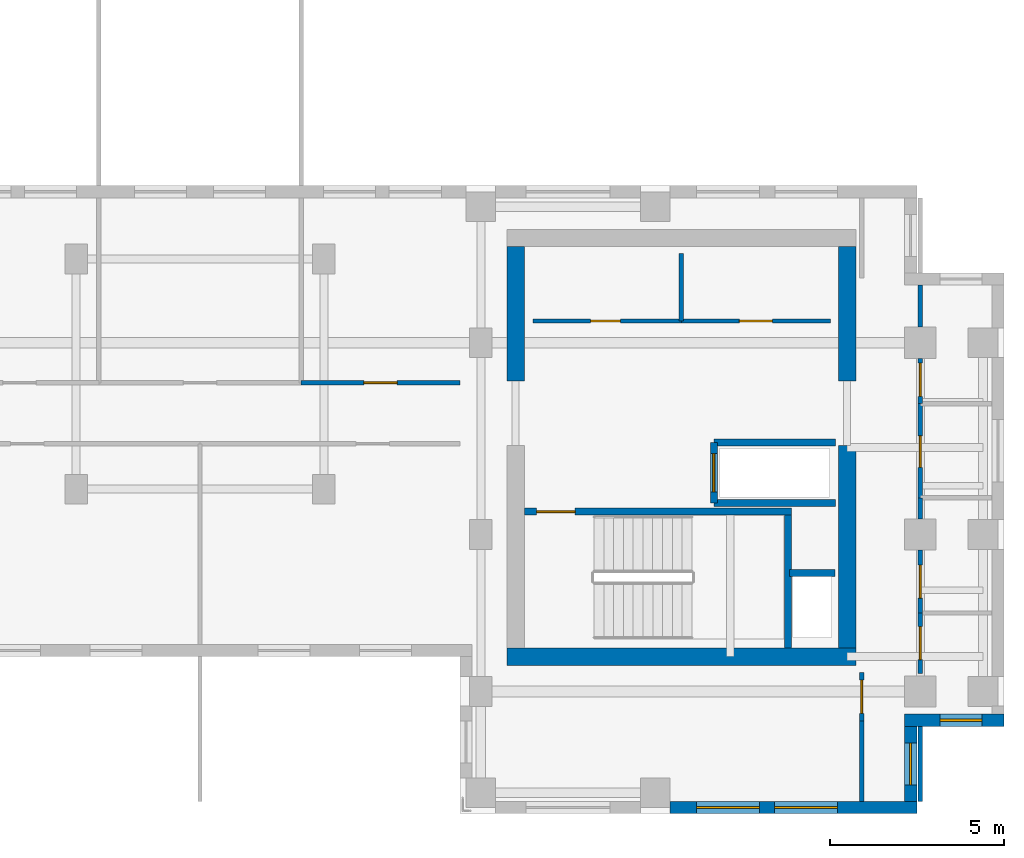
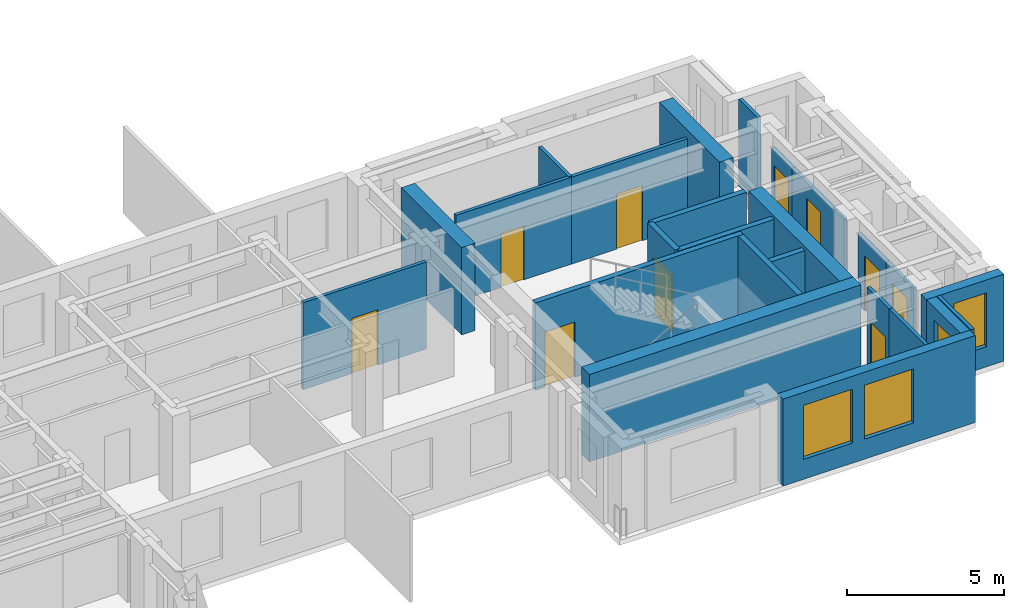
# One storey, part 6 of 10: 26 walls, 10 doors, 4 windows, 14 openings.
"""IFC4 building model written with IfcOpenShell, lengths in metres."""

from ifc_helpers import new_model, si_unit, direction, frame, frame_2d, origin, place, context, subcontext, project, spatial, rectangle, extrude, source, transform, mapped, material, layer, layer_set, type_object, element, fill, save


model = new_model("IFC4")

# Units and contexts
model_context = context("Model", 3, precision=1e-05, world=origin(), true_north=direction((0.0, 1.0)))
body_context = subcontext(model_context, "Body", "Model", "MODEL_VIEW")
ifc_project = project(units=[si_unit("LENGTHUNIT", "METRE"), si_unit("AREAUNIT", "SQUARE_METRE"), si_unit("VOLUMEUNIT", "CUBIC_METRE"), si_unit("PLANEANGLEUNIT", "RADIAN"), si_unit("MASSUNIT", "GRAM", prefix="KILO")], contexts=[model_context])

# Site, building, storey
site_placement = place(None, origin())
site = spatial("IfcSite", under=ifc_project, at=site_placement, CompositionType="ELEMENT")
building_placement = place(site_placement, origin())
building = spatial("IfcBuilding", under=site, at=building_placement, Name="Kharzan Plaza Tower", CompositionType="ELEMENT")
storey_placement = place(building_placement, frame((0.0, 0.0, 216.0)))
storey = spatial("IfcBuildingStorey", under=building, at=storey_placement, Name="L58", CompositionType="ELEMENT", Elevation=216.0)

# Wall, openings, windows
ifc_material_1 = material(Name="Concrete C40/50", Category="concrete")
ifc_layer_1 = layer(ifc_material_1, 0.35009765625)
ifc_layer_set_1 = layer_set([ifc_layer_1], Name="Concrete C40/50")
wall_type_1 = type_object("IfcWallType", Name="WL-EXT-MAS-Z4", PredefinedType="SOLIDWALL", material=ifc_layer_set_1)
wall_1_placement = place(storey_placement, frame((40.423095703125, 0.175048828125, 0.0), z_axis=(0.0, 0.0, 1.0), x_axis=(1.0, 0.0, 0.0)))
wall_1 = element("IfcWall", 1, at=wall_1_placement, inside=storey, type_object=wall_type_1, Name="L58 Masonry-Frame Exterior Wall 30", PredefinedType="SOLIDWALL", context=body_context, shape_type="SweptSolid", body=[
    extrude(rectangle(XDim=7.076904296875, YDim=0.35009765625, at=frame_2d((3.53857421875, 0.0))), origin(), (0.0, 0.0, 1.0), 3.385009765625),
])
opening_1_placement = place(wall_1_placement, frame((0.76220703125, 0.0, 0.780029296875)))
opening_1 = element("IfcOpeningElement", 2, at=opening_1_placement, cuts=wall_1, Name="Opening W1", PredefinedType="OPENING", context=body_context, shape_type="SweptSolid", body=[
    extrude(rectangle(XDim=1.800048828125, YDim=2.10009765625, at=frame_2d((0.89990234375, 1.050048828125))), frame((0.0, 0.18505859375, 0.0), z_axis=(0.0, -1.0, 0.0), x_axis=(1.0, 0.0, 0.0)), (0.0, 0.0, 1.0), 0.3701171875),
])
opening_2_placement = place(wall_1_placement, frame((3.004638671875, 0.0, 0.780029296875)))
opening_2 = element("IfcOpeningElement", 3, at=opening_2_placement, cuts=wall_1, Name="Opening W1", PredefinedType="OPENING", context=body_context, shape_type="SweptSolid", body=[
    extrude(rectangle(XDim=1.800048828125, YDim=2.10009765625, at=frame_2d((0.89990234375, 1.050048828125))), frame((0.0, 0.18505859375, 0.0), z_axis=(0.0, -1.0, 0.0), x_axis=(1.0, 0.0, 0.0)), (0.0, 0.0, 1.0), 0.3701171875),
])
ifc_material_2 = material(Name="Low-E Double Glazing", Category="glass")
window_type_1 = type_object("IfcWindowType", Name="WN-REC-1800x2100", PartitioningType="SINGLE_PANEL", PredefinedType="WINDOW", material=ifc_material_2)
shared_shape_1 = source(origin(), body_context, "Body", "SweptSolid", [
    extrude(rectangle(XDim=1.800048828125, YDim=2.10009765625, at=frame_2d((0.89990234375, 1.050048828125))), frame((0.0, 0.030029296875, 0.0), z_axis=(0.0, -1.0, 0.0), x_axis=(1.0, 0.0, 0.0)), (0.0, 0.0, 1.0), 0.06005859375),
])
window_1_placement = place(opening_1_placement, origin())
window_1 = element("IfcWindow", 4, at=window_1_placement, inside=storey, type_object=window_type_1, Name="L58 Recessed Solar-Control Window 30-1", OverallHeight=2.10009765625, OverallWidth=1.800048828125, PartitioningType="SINGLE_PANEL", PredefinedType="WINDOW", context=body_context, shape_type="MappedRepresentation", body=[
    mapped(shared_shape_1, transform((0.0, 0.0, 0.0), x_axis=(1.0, 0.0, 0.0), y_axis=(0.0, 1.0, 0.0), z_axis=(0.0, 0.0, 1.0))),
])
fill(opening_1, window_1)
window_2_placement = place(opening_2_placement, origin())
window_2 = element("IfcWindow", 5, at=window_2_placement, inside=storey, type_object=window_type_1, Name="L58 Recessed Solar-Control Window 30-2", OverallHeight=2.10009765625, OverallWidth=1.800048828125, PartitioningType="SINGLE_PANEL", PredefinedType="WINDOW", context=body_context, shape_type="MappedRepresentation", body=[
    mapped(shared_shape_1, transform((0.0, 0.0, 0.0), x_axis=(1.0, 0.0, 0.0), y_axis=(0.0, 1.0, 0.0), z_axis=(0.0, 0.0, 1.0))),
])
fill(opening_2, window_2)

# Wall, opening, window
wall_2_placement = place(storey_placement, frame((47.324951171875, 0.347900390625, 0.0), z_axis=(0.0, 0.0, 1.0), x_axis=(0.0, 1.0, 0.0)))
wall_2 = element("IfcWall", 6, at=wall_2_placement, inside=storey, type_object=wall_type_1, Name="L58 Masonry-Frame Exterior Wall 31", PredefinedType="SOLIDWALL", context=body_context, shape_type="SweptSolid", body=[
    extrude(rectangle(XDim=2.154052734375, YDim=0.35009765625, at=frame_2d((1.0771484375, 0.0))), origin(), (0.0, 0.0, 1.0), 3.385009765625),
])
opening_3_placement = place(wall_2_placement, frame((0.47705078125, 0.0, 0.780029296875)))
opening_3 = element("IfcOpeningElement", 7, at=opening_3_placement, cuts=wall_2, Name="Opening W3", PredefinedType="OPENING", context=body_context, shape_type="SweptSolid", body=[
    extrude(rectangle(XDim=1.199951171875, YDim=2.10009765625, at=frame_2d((0.60009765625, 1.050048828125))), frame((0.0, 0.18505859375, 0.0), z_axis=(0.0, -1.0, 0.0), x_axis=(1.0, 0.0, 0.0)), (0.0, 0.0, 1.0), 0.3701171875),
])
window_type_2 = type_object("IfcWindowType", Name="WN-REC-1200x2100", PartitioningType="SINGLE_PANEL", PredefinedType="WINDOW", material=ifc_material_2)
shared_shape_2 = source(origin(), body_context, "Body", "SweptSolid", [
    extrude(rectangle(XDim=1.199951171875, YDim=2.10009765625, at=frame_2d((0.60009765625, 1.050048828125))), frame((0.0, 0.030029296875, 0.0), z_axis=(0.0, -1.0, 0.0), x_axis=(1.0, 0.0, 0.0)), (0.0, 0.0, 1.0), 0.06005859375),
])
window_3_placement = place(opening_3_placement, origin())
window_3 = element("IfcWindow", 8, at=window_3_placement, inside=storey, type_object=window_type_2, Name="L58 Recessed Solar-Control Window 31-1", OverallHeight=2.10009765625, OverallWidth=1.199951171875, PartitioningType="SINGLE_PANEL", PredefinedType="WINDOW", context=body_context, shape_type="MappedRepresentation", body=[
    mapped(shared_shape_2, transform((0.0, 0.0, 0.0), x_axis=(1.0, 0.0, 0.0), y_axis=(0.0, 1.0, 0.0), z_axis=(0.0, 0.0, 1.0))),
])
fill(opening_3, window_3)

wall_3_placement = place(storey_placement, frame((47.14990234375, 2.675048828125, 0.0), z_axis=(0.0, 0.0, 1.0), x_axis=(1.0, 0.0, 0.0)))
wall_3 = element("IfcWall", 9, at=wall_3_placement, inside=storey, type_object=wall_type_1, Name="L58 Masonry-Frame Exterior Wall 32", PredefinedType="SOLIDWALL", context=body_context, shape_type="SweptSolid", body=[
    extrude(rectangle(XDim=2.85009765625, YDim=0.35009765625, at=frame_2d((1.425048828125, 0.0))), origin(), (0.0, 0.0, 1.0), 3.385009765625),
])
opening_4_placement = place(wall_3_placement, frame((1.014892578125, 0.0, 0.780029296875)))
opening_4 = element("IfcOpeningElement", 10, at=opening_4_placement, cuts=wall_3, Name="Opening W3", PredefinedType="OPENING", context=body_context, shape_type="SweptSolid", body=[
    extrude(rectangle(XDim=1.199951171875, YDim=2.10009765625, at=frame_2d((0.60009765625, 1.050048828125))), frame((0.0, 0.18505859375, 0.0), z_axis=(0.0, -1.0, 0.0), x_axis=(1.0, 0.0, 0.0)), (0.0, 0.0, 1.0), 0.3701171875),
])
window_4_placement = place(opening_4_placement, origin())
window_4 = element("IfcWindow", 11, at=window_4_placement, inside=storey, type_object=window_type_2, Name="L58 Recessed Solar-Control Window 32-1", OverallHeight=2.10009765625, OverallWidth=1.199951171875, PartitioningType="SINGLE_PANEL", PredefinedType="WINDOW", context=body_context, shape_type="MappedRepresentation", body=[
    mapped(shared_shape_2, transform((0.0, 0.0, 0.0), x_axis=(1.0, 0.0, 0.0), y_axis=(0.0, 1.0, 0.0), z_axis=(0.0, 0.0, 1.0))),
])
fill(opening_4, window_4)

# Wall, opening, door
ifc_material_3 = material(Name="Fire-Rated Gypsum Board Partition", Category="gypsum")
ifc_layer_2 = layer(ifc_material_3, 0.125)
ifc_layer_set_2 = layer_set([ifc_layer_2], Name="Fire-Rated Gypsum Board Partition")
wall_type_2 = type_object("IfcWallType", Name="WL-INT-PART-125", PredefinedType="PARTITIONING", material=ifc_layer_set_2)
wall_4_placement = place(storey_placement, frame((36.5, 14.1201171875, 0.0), z_axis=(0.0, 0.0, 1.0), x_axis=(1.0, 0.0, 0.0)))
wall_4 = element("IfcWall", 12, at=wall_4_placement, inside=storey, type_object=wall_type_2, Name="L58 Interior Partition CB-RBLS1", PredefinedType="PARTITIONING", context=body_context, shape_type="SweptSolid", body=[
    extrude(rectangle(XDim=4.25, YDim=0.125, at=frame_2d((2.125, 0.0))), origin(), (0.0, 0.0, 1.0), 3.385009765625),
])
opening_5_placement = place(wall_4_placement, frame((1.64990234375, 0.0, 0.0)))
opening_5 = element("IfcOpeningElement", 13, at=opening_5_placement, cuts=wall_4, Name="Opening RD1", PredefinedType="OPENING", context=body_context, shape_type="SweptSolid", body=[
    extrude(rectangle(XDim=0.85009765625, YDim=2.10009765625, at=frame_2d((0.425048828125, 1.050048828125))), frame((0.0, 0.072509765625, 0.0), z_axis=(0.0, -1.0, 0.0), x_axis=(1.0, 0.0, 0.0)), (0.0, 0.0, 1.0), 0.14501953125),
])
ifc_material_4 = material(Name="Powder-Coated Fire-Rated Steel", Category="steel")
door_type_1 = type_object("IfcDoorType", Name="DR-RISER-900", OperationType="NOTDEFINED", PredefinedType="DOOR", material=ifc_material_4)
shared_shape_3 = source(origin(), body_context, "Body", "SweptSolid", [
    extrude(rectangle(XDim=0.85009765625, YDim=2.10009765625, at=frame_2d((0.425048828125, 1.050048828125))), frame((0.0, 0.02490234375, 0.0), z_axis=(0.0, -1.0, 0.0), x_axis=(1.0, 0.0, 0.0)), (0.0, 0.0, 1.0), 0.050048828125),
])
door_1_placement = place(opening_5_placement, origin())
door_1 = element("IfcDoor", 14, at=door_1_placement, inside=storey, type_object=door_type_1, Name="L58 Archive Room Door", OperationType="SINGLE_SWING_RIGHT", OverallHeight=2.10009765625, OverallWidth=0.85009765625, PredefinedType="DOOR", context=body_context, shape_type="MappedRepresentation", body=[
    mapped(shared_shape_3, transform((0.0, 0.0, 0.0), x_axis=(1.0, 0.0, 0.0), y_axis=(0.0, 1.0, 0.0), z_axis=(0.0, 0.0, 1.0))),
])
fill(opening_5, door_1)

wall_5_placement = place(storey_placement, frame((40.75, 14.1201171875, 0.0), z_axis=(0.0, 0.0, 1.0), x_axis=(1.0, 0.0, 0.0)))
wall_5 = element("IfcWall", 15, at=wall_5_placement, inside=storey, type_object=wall_type_2, Name="L58 Interior Partition CB-RBLS2", PredefinedType="PARTITIONING", context=body_context, shape_type="SweptSolid", body=[
    extrude(rectangle(XDim=4.27001953125, YDim=0.125, at=frame_2d((2.135009765625, 0.0))), origin(), (0.0, 0.0, 1.0), 3.385009765625),
])
opening_6_placement = place(wall_5_placement, frame((1.659912109375, 0.0, 0.0)))
opening_6 = element("IfcOpeningElement", 16, at=opening_6_placement, cuts=wall_5, Name="Opening OD1", PredefinedType="OPENING", context=body_context, shape_type="SweptSolid", body=[
    extrude(rectangle(XDim=0.949951171875, YDim=2.14990234375, at=frame_2d((0.47509765625, 1.074951171875))), frame((0.0, 0.072509765625, 0.0), z_axis=(0.0, -1.0, 0.0), x_axis=(1.0, 0.0, 0.0)), (0.0, 0.0, 1.0), 0.14501953125),
])
ifc_material_5 = material(Name="Acoustic Solid-Core Stained Oak", Category="timber")
door_type_2 = type_object("IfcDoorType", Name="DR-OFF-SINGLE", OperationType="NOTDEFINED", PredefinedType="DOOR", material=ifc_material_5)
shared_shape_4 = source(origin(), body_context, "Body", "SweptSolid", [
    extrude(rectangle(XDim=0.949951171875, YDim=2.14990234375, at=frame_2d((0.47509765625, 1.074951171875))), frame((0.0, 0.02490234375, 0.0), z_axis=(0.0, -1.0, 0.0), x_axis=(1.0, 0.0, 0.0)), (0.0, 0.0, 1.0), 0.050048828125),
])
door_2_placement = place(opening_6_placement, origin())
door_2 = element("IfcDoor", 17, at=door_2_placement, inside=storey, type_object=door_type_2, Name="L58 Print Room Door", OperationType="SINGLE_SWING_LEFT", OverallHeight=2.14990234375, OverallWidth=0.949951171875, PredefinedType="DOOR", context=body_context, shape_type="MappedRepresentation", body=[
    mapped(shared_shape_4, transform((0.0, 0.0, 0.0), x_axis=(1.0, 0.0, 0.0), y_axis=(0.0, 1.0, 0.0), z_axis=(0.0, 0.0, 1.0))),
])
fill(opening_6, door_2)

wall_6_placement = place(storey_placement, frame((47.60009765625, 4.02001953125, 0.0), z_axis=(0.0, 0.0, 1.0), x_axis=(0.0, 1.0, 0.0)))
wall_6 = element("IfcWall", 18, at=wall_6_placement, inside=storey, type_object=wall_type_2, Name="L58 Interior Partition SH-B3W0", PredefinedType="PARTITIONING", context=body_context, shape_type="SweptSolid", body=[
    extrude(rectangle(XDim=1.72998046875, YDim=0.125, at=frame_2d((0.864990234375, 0.0))), origin(), (0.0, 0.0, 1.0), 2.77294921875),
])
opening_7_placement = place(wall_6_placement, frame((0.389892578125, 0.0, 0.0)))
opening_7 = element("IfcOpeningElement", 19, at=opening_7_placement, cuts=wall_6, Name="Opening OD1", PredefinedType="OPENING", context=body_context, shape_type="SweptSolid", body=[
    extrude(rectangle(XDim=0.949951171875, YDim=2.14990234375, at=frame_2d((0.47509765625, 1.074951171875))), frame((0.0, 0.072509765625, 0.0), z_axis=(0.0, -1.0, 0.0), x_axis=(1.0, 0.0, 0.0)), (0.0, 0.0, 1.0), 0.14501953125),
])
door_3_placement = place(opening_7_placement, origin())
door_3 = element("IfcDoor", 20, at=door_3_placement, inside=storey, type_object=door_type_2, Name="L58 Wing B Office 1 Door", OperationType="SINGLE_SWING_RIGHT", OverallHeight=2.14990234375, OverallWidth=0.949951171875, PredefinedType="DOOR", context=body_context, shape_type="MappedRepresentation", body=[
    mapped(shared_shape_4, transform((0.0, 0.0, 0.0), x_axis=(1.0, 0.0, 0.0), y_axis=(0.0, 1.0, 0.0), z_axis=(0.0, 0.0, 1.0))),
])
fill(opening_7, door_3)

wall_7_placement = place(storey_placement, frame((47.60009765625, 5.75, 0.0), z_axis=(0.0, 0.0, 1.0), x_axis=(0.0, 1.0, 0.0)))
wall_7 = element("IfcWall", 21, at=wall_7_placement, inside=storey, type_object=wall_type_2, Name="L58 Interior Partition SH-B3W1-S1", PredefinedType="PARTITIONING", context=body_context, shape_type="SweptSolid", body=[
    extrude(rectangle(XDim=1.800048828125, YDim=0.125, at=frame_2d((0.89990234375, 0.0))), origin(), (0.0, 0.0, 1.0), 2.77294921875),
])
opening_8_placement = place(wall_7_placement, frame((0.425048828125, 0.0, 0.0)))
opening_8 = element("IfcOpeningElement", 22, at=opening_8_placement, cuts=wall_7, Name="Opening OD1", PredefinedType="OPENING", context=body_context, shape_type="SweptSolid", body=[
    extrude(rectangle(XDim=0.949951171875, YDim=2.14990234375, at=frame_2d((0.47509765625, 1.074951171875))), frame((0.0, 0.072509765625, 0.0), z_axis=(0.0, -1.0, 0.0), x_axis=(1.0, 0.0, 0.0)), (0.0, 0.0, 1.0), 0.14501953125),
])
door_4_placement = place(opening_8_placement, origin())
door_4 = element("IfcDoor", 23, at=door_4_placement, inside=storey, type_object=door_type_2, Name="L58 Wing B Office 2 Door", OperationType="SINGLE_SWING_LEFT", OverallHeight=2.14990234375, OverallWidth=0.949951171875, PredefinedType="DOOR", context=body_context, shape_type="MappedRepresentation", body=[
    mapped(shared_shape_4, transform((0.0, 0.0, 0.0), x_axis=(1.0, 0.0, 0.0), y_axis=(0.0, 1.0, 0.0), z_axis=(0.0, 0.0, 1.0))),
])
fill(opening_8, door_4)

wall_8_placement = place(storey_placement, frame((47.60009765625, 11.75, 0.0), z_axis=(0.0, 0.0, 1.0), x_axis=(0.0, 1.0, 0.0)))
wall_8 = element("IfcWall", 24, at=wall_8_placement, inside=storey, type_object=wall_type_2, Name="L58 Interior Partition SH-B3W2-S1", PredefinedType="PARTITIONING", context=body_context, shape_type="SweptSolid", body=[
    extrude(rectangle(XDim=1.300048828125, YDim=0.125, at=frame_2d((0.64990234375, 0.0))), origin(), (0.0, 0.0, 1.0), 2.77294921875),
])
opening_9_placement = place(wall_8_placement, frame((0.2099609375, 0.0, 0.0)))
opening_9 = element("IfcOpeningElement", 25, at=opening_9_placement, cuts=wall_8, Name="Opening OD1", PredefinedType="OPENING", context=body_context, shape_type="SweptSolid", body=[
    extrude(rectangle(XDim=0.949951171875, YDim=2.14990234375, at=frame_2d((0.47509765625, 1.074951171875))), frame((0.0, 0.072509765625, 0.0), z_axis=(0.0, -1.0, 0.0), x_axis=(1.0, 0.0, 0.0)), (0.0, 0.0, 1.0), 0.14501953125),
])
door_5_placement = place(opening_9_placement, origin())
door_5 = element("IfcDoor", 26, at=door_5_placement, inside=storey, type_object=door_type_2, Name="L58 Wing B Office 3 Door", OperationType="SINGLE_SWING_LEFT", OverallHeight=2.14990234375, OverallWidth=0.949951171875, PredefinedType="DOOR", context=body_context, shape_type="MappedRepresentation", body=[
    mapped(shared_shape_4, transform((0.0, 0.0, 0.0), x_axis=(1.0, 0.0, 0.0), y_axis=(0.0, 1.0, 0.0), z_axis=(0.0, 0.0, 1.0))),
])
fill(opening_9, door_5)

wall_9_placement = place(storey_placement, frame((47.60009765625, 9.050048828125, 0.0), z_axis=(0.0, 0.0, 1.0), x_axis=(0.0, 1.0, 0.0)))
wall_9 = element("IfcWall", 27, at=wall_9_placement, inside=storey, type_object=wall_type_2, Name="L58 Interior Partition SH-B3WC", PredefinedType="PARTITIONING", context=body_context, shape_type="SweptSolid", body=[
    extrude(rectangle(XDim=2.699951171875, YDim=0.125, at=frame_2d((1.35009765625, 0.0))), origin(), (0.0, 0.0, 1.0), 2.77294921875),
])
opening_10_placement = place(wall_9_placement, frame((0.875, 0.0, 0.0)))
opening_10 = element("IfcOpeningElement", 28, at=opening_10_placement, cuts=wall_9, Name="Opening WD1", PredefinedType="OPENING", context=body_context, shape_type="SweptSolid", body=[
    extrude(rectangle(XDim=0.89990234375, YDim=2.14990234375, at=frame_2d((0.449951171875, 1.074951171875))), frame((0.0, 0.072509765625, 0.0), z_axis=(0.0, -1.0, 0.0), x_axis=(1.0, 0.0, 0.0)), (0.0, 0.0, 1.0), 0.14501953125),
])
ifc_material_6 = material(Name="Moisture-Resistant Fire-Rated Laminate", Category="timber")
door_type_3 = type_object("IfcDoorType", Name="DR-WC-900", OperationType="NOTDEFINED", PredefinedType="DOOR", material=ifc_material_6)
shared_shape_5 = source(origin(), body_context, "Body", "SweptSolid", [
    extrude(rectangle(XDim=0.89990234375, YDim=2.14990234375, at=frame_2d((0.449951171875, 1.074951171875))), frame((0.0, 0.02490234375, 0.0), z_axis=(0.0, -1.0, 0.0), x_axis=(1.0, 0.0, 0.0)), (0.0, 0.0, 1.0), 0.050048828125),
])
door_6_placement = place(opening_10_placement, origin())
door_6 = element("IfcDoor", 29, at=door_6_placement, inside=storey, type_object=door_type_3, Name="L58 Wing B Washroom Door", OperationType="SINGLE_SWING_LEFT", OverallHeight=2.14990234375, OverallWidth=0.89990234375, PredefinedType="DOOR", context=body_context, shape_type="MappedRepresentation", body=[
    mapped(shared_shape_5, transform((0.0, 0.0, 0.0), x_axis=(1.0, 0.0, 0.0), y_axis=(0.0, 1.0, 0.0), z_axis=(0.0, 0.0, 1.0))),
])
fill(opening_10, door_6)

wall_10_placement = place(storey_placement, frame((45.919921875, 2.64990234375, 0.0), z_axis=(0.0, 0.0, 1.0), x_axis=(0.0, 1.0, 0.0)))
wall_10 = element("IfcWall", 30, at=wall_10_placement, inside=storey, type_object=wall_type_2, Name="L58 Interior Partition SH-RBSE", PredefinedType="PARTITIONING", context=body_context, shape_type="SweptSolid", body=[
    extrude(rectangle(XDim=1.400146484375, YDim=0.125, at=frame_2d((0.7001953125, 0.0))), origin(), (0.0, 0.0, 1.0), 3.385009765625),
])
opening_11_placement = place(wall_10_placement, frame((0.22509765625, 0.0, 0.0)))
opening_11 = element("IfcOpeningElement", 31, at=opening_11_placement, cuts=wall_10, Name="Opening OD1", PredefinedType="OPENING", context=body_context, shape_type="SweptSolid", body=[
    extrude(rectangle(XDim=0.949951171875, YDim=2.14990234375, at=frame_2d((0.47509765625, 1.074951171875))), frame((0.0, 0.072509765625, 0.0), z_axis=(0.0, -1.0, 0.0), x_axis=(1.0, 0.0, 0.0)), (0.0, 0.0, 1.0), 0.14501953125),
])
door_7_placement = place(opening_11_placement, origin())
door_7 = element("IfcDoor", 32, at=door_7_placement, inside=storey, type_object=door_type_2, Name="L58 South-East Corner Office Door", OperationType="SINGLE_SWING_RIGHT", OverallHeight=2.14990234375, OverallWidth=0.949951171875, PredefinedType="DOOR", context=body_context, shape_type="MappedRepresentation", body=[
    mapped(shared_shape_4, transform((0.0, 0.0, 0.0), x_axis=(1.0, 0.0, 0.0), y_axis=(0.0, 1.0, 0.0), z_axis=(0.0, 0.0, 1.0))),
])
fill(opening_11, door_7)

wall_11_placement = place(storey_placement, frame((29.85009765625, 12.35009765625, 0.0), z_axis=(0.0, 0.0, 1.0), x_axis=(1.0, 0.0, 0.0)))
wall_11 = element("IfcWall", 33, at=wall_11_placement, inside=storey, type_object=wall_type_2, Name="L58 Interior Partition SH-SPNE1", PredefinedType="PARTITIONING", context=body_context, shape_type="SweptSolid", body=[
    extrude(rectangle(XDim=4.5498046875, YDim=0.125, at=frame_2d((2.27490234375, 0.0))), origin(), (0.0, 0.0, 1.0), 3.385009765625),
])
opening_12_placement = place(wall_11_placement, frame((1.800048828125, 0.0, 0.0)))
opening_12 = element("IfcOpeningElement", 34, at=opening_12_placement, cuts=wall_11, Name="Opening OD1", PredefinedType="OPENING", context=body_context, shape_type="SweptSolid", body=[
    extrude(rectangle(XDim=0.949951171875, YDim=2.14990234375, at=frame_2d((0.47509765625, 1.074951171875))), frame((0.0, 0.072509765625, 0.0), z_axis=(0.0, -1.0, 0.0), x_axis=(1.0, 0.0, 0.0)), (0.0, 0.0, 1.0), 0.14501953125),
])
door_8_placement = place(opening_12_placement, origin())
door_8 = element("IfcDoor", 35, at=door_8_placement, inside=storey, type_object=door_type_2, Name="L58 North-East Spine Door", OperationType="SINGLE_SWING_RIGHT", OverallHeight=2.14990234375, OverallWidth=0.949951171875, PredefinedType="DOOR", context=body_context, shape_type="MappedRepresentation", body=[
    mapped(shared_shape_4, transform((0.0, 0.0, 0.0), x_axis=(1.0, 0.0, 0.0), y_axis=(0.0, 1.0, 0.0), z_axis=(0.0, 0.0, 1.0))),
])
fill(opening_12, door_8)

ifc_layer_3 = layer(ifc_material_1, 0.199951171875)
ifc_layer_set_3 = layer_set([ifc_layer_3], Name="Concrete C40/50")
wall_type_3 = type_object("IfcWallType", Name="WL-INT-SHAFT-200", PredefinedType="PARTITIONING", material=ifc_layer_set_3)
wall_12_placement = place(storey_placement, frame((41.679931640625, 8.89990234375, 0.0), z_axis=(0.0, 0.0, 1.0), x_axis=(0.0, 1.0, 0.0)))
wall_12 = element("IfcWall", 36, at=wall_12_placement, inside=storey, type_object=wall_type_3, Name="L58 Interior Partition SHF-SVL-2-W", PredefinedType="PARTITIONING", context=body_context, shape_type="SweptSolid", body=[
    extrude(rectangle(XDim=1.739990234375, YDim=0.199951171875, at=frame_2d((0.8701171875, 0.0))), origin(), (0.0, 0.0, 1.0), 3.385009765625),
])
opening_13_placement = place(wall_12_placement, frame((0.320068359375, 0.0, 0.0)))
opening_13 = element("IfcOpeningElement", 37, at=opening_13_placement, cuts=wall_12, Name="Opening LD", PredefinedType="OPENING", context=body_context, shape_type="SweptSolid", body=[
    extrude(rectangle(XDim=1.10009765625, YDim=2.199951171875, at=frame_2d((0.550048828125, 1.10009765625))), frame((0.0, 0.10986328125, 0.0), z_axis=(0.0, -1.0, 0.0), x_axis=(1.0, 0.0, 0.0)), (0.0, 0.0, 1.0), 0.219970703125),
])
ifc_material_7 = material(Name="Brushed Stainless Steel", Category="steel")
door_type_4 = type_object("IfcDoorType", Name="DR-LIFT-SLIDE", OperationType="SLIDING_TO_LEFT", PredefinedType="DOOR", material=ifc_material_7)
shared_shape_6 = source(origin(), body_context, "Body", "SweptSolid", [
    extrude(rectangle(XDim=1.10009765625, YDim=2.199951171875, at=frame_2d((0.550048828125, 1.10009765625))), frame((0.0, 0.02490234375, 0.0), z_axis=(0.0, -1.0, 0.0), x_axis=(1.0, 0.0, 0.0)), (0.0, 0.0, 1.0), 0.050048828125),
])
door_9_placement = place(opening_13_placement, origin())
door_9 = element("IfcDoor", 38, at=door_9_placement, inside=storey, type_object=door_type_4, Name="L58 Service Lift SVL-2 Sliding Landing Door", OperationType="SLIDING_TO_LEFT", OverallHeight=2.199951171875, OverallWidth=1.10009765625, PredefinedType="DOOR", context=body_context, shape_type="MappedRepresentation", body=[
    mapped(shared_shape_6, transform((0.0, 0.0, 0.0), x_axis=(1.0, 0.0, 0.0), y_axis=(0.0, 1.0, 0.0), z_axis=(0.0, 0.0, 1.0))),
])
fill(opening_13, door_9)

ifc_material_8 = material(Name="Concrete C50/60", Category="concrete")
ifc_layer_4 = layer(ifc_material_8, 0.199951171875)
ifc_layer_set_4 = layer_set([ifc_layer_4], Name="Concrete C50/60")
wall_type_4 = type_object("IfcWallType", Name="WL-SHAFT-RC200", PredefinedType="SHEAR", material=ifc_layer_set_4)
wall_13_placement = place(storey_placement, frame((36.251953125, 8.655029296875, 0.0), z_axis=(0.0, 0.0, 1.0), x_axis=(1.0, 0.0, 0.0)))
wall_13 = element("IfcWall", 39, at=wall_13_placement, inside=storey, type_object=wall_type_4, Name="L58 Stair ST-3 North RC Shaft Wall", PredefinedType="SHEAR", context=body_context, shape_type="SweptSolid", body=[
    extrude(rectangle(XDim=7.653076171875, YDim=0.199951171875, at=frame_2d((3.82666015625, 0.0))), origin(), (0.0, 0.0, 1.0), 3.39990234375),
])
opening_14_placement = place(wall_13_placement, frame((0.35009765625, 0.0, 0.0)))
opening_14 = element("IfcOpeningElement", 40, at=opening_14_placement, cuts=wall_13, Name="Opening SD1", PredefinedType="OPENING", context=body_context, shape_type="SweptSolid", body=[
    extrude(rectangle(XDim=1.10009765625, YDim=2.14990234375, at=frame_2d((0.550048828125, 1.074951171875))), frame((0.0, 0.10986328125, 0.0), z_axis=(0.0, -1.0, 0.0), x_axis=(1.0, 0.0, 0.0)), (0.0, 0.0, 1.0), 0.219970703125),
])
ifc_material_9 = material(Name="Fire-Rated Hollow Galvanized Steel", Category="steel")
door_type_5 = type_object("IfcDoorType", Name="DR-STAIR-FD120", OperationType="NOTDEFINED", PredefinedType="DOOR", material=ifc_material_9)
shared_shape_7 = source(origin(), body_context, "Body", "SweptSolid", [
    extrude(rectangle(XDim=1.10009765625, YDim=2.14990234375, at=frame_2d((0.550048828125, 1.074951171875))), frame((0.0, 0.02490234375, 0.0), z_axis=(0.0, -1.0, 0.0), x_axis=(1.0, 0.0, 0.0)), (0.0, 0.0, 1.0), 0.050048828125),
])
door_10_placement = place(opening_14_placement, origin())
door_10 = element("IfcDoor", 41, at=door_10_placement, inside=storey, type_object=door_type_5, Name="L58 Stair ST-3 Fire Exit Door", OperationType="SINGLE_SWING_LEFT", OverallHeight=2.14990234375, OverallWidth=1.10009765625, PredefinedType="DOOR", context=body_context, shape_type="MappedRepresentation", body=[
    mapped(shared_shape_7, transform((0.0, 0.0, 0.0), x_axis=(1.0, 0.0, 0.0), y_axis=(0.0, 1.0, 0.0), z_axis=(0.0, 0.0, 1.0))),
])
fill(opening_14, door_10)

# Walls
shared_shape_8 = source(origin(), body_context, "Body", "SweptSolid", [
    extrude(rectangle(XDim=1.929931640625, YDim=0.125, at=frame_2d((0.96484375, 0.0))), origin(), (0.0, 0.0, 1.0), 3.385009765625),
])
wall_14_placement = place(storey_placement, frame((40.75, 14.1201171875, 0.0), z_axis=(0.0, 0.0, 1.0), x_axis=(0.0, 1.0, 0.0)))
element("IfcWall", 42, at=wall_14_placement, inside=storey, type_object=wall_type_2, Name="L58 Interior Partition CB-RBLM1", PredefinedType="PARTITIONING", context=body_context, shape_type="MappedRepresentation", body=[
    mapped(shared_shape_8, transform((0.0, 0.0, 0.0), x_axis=(1.0, 0.0, 0.0), y_axis=(0.0, 1.0, 0.0), z_axis=(0.0, 0.0, 1.0))),
])
shared_shape_9 = source(origin(), body_context, "Body", "SweptSolid", [
    extrude(rectangle(XDim=2.2978515625, YDim=0.125, at=frame_2d((1.14892578125, 0.0))), origin(), (0.0, 0.0, 1.0), 3.385009765625),
])
wall_15_placement = place(storey_placement, frame((45.919921875, 0.35205078125, 0.0), z_axis=(0.0, 0.0, 1.0), x_axis=(0.0, 1.0, 0.0)))
element("IfcWall", 43, at=wall_15_placement, inside=storey, type_object=wall_type_2, Name="L58 Interior Partition SH-RBSE0", PredefinedType="PARTITIONING", context=body_context, shape_type="MappedRepresentation", body=[
    mapped(shared_shape_9, transform((0.0, 0.0, 0.0), x_axis=(1.0, 0.0, 0.0), y_axis=(0.0, 1.0, 0.0), z_axis=(0.0, 0.0, 1.0))),
])
shared_shape_10 = source(origin(), body_context, "Body", "SweptSolid", [
    extrude(rectangle(XDim=1.2998046875, YDim=0.199951171875, at=frame_2d((0.64990234375, 0.0))), origin(), (0.0, 0.0, 1.0), 3.385009765625),
])
wall_16_placement = place(storey_placement, frame((43.85009765625, 6.89990234375, 0.0), z_axis=(0.0, 0.0, 1.0), x_axis=(1.0, 0.0, 0.0)))
element("IfcWall", 44, at=wall_16_placement, inside=storey, type_object=wall_type_3, Name="L58 Interior Partition CB-RSRB-N", PredefinedType="PARTITIONING", context=body_context, shape_type="MappedRepresentation", body=[
    mapped(shared_shape_10, transform((0.0, 0.0, 0.0), x_axis=(1.0, 0.0, 0.0), y_axis=(0.0, 1.0, 0.0), z_axis=(0.0, 0.0, 1.0))),
])
shared_shape_11 = source(origin(), body_context, "Body", "SweptSolid", [
    extrude(rectangle(XDim=3.489990234375, YDim=0.199951171875, at=frame_2d((1.7451171875, 0.0))), origin(), (0.0, 0.0, 1.0), 3.385009765625),
])
for number, where, z_axis, x_axis, name in (
    (45, (41.679931640625, 10.639892578125, 0.0), (0.0, 0.0, 1.0), (1.0, 0.0, 0.0), "L58 Interior Partition SHF-SVL-2-N"),
    (46, (41.679931640625, 8.89990234375, 0.0), (0.0, 0.0, 1.0), (1.0, 0.0, 0.0), "L58 Interior Partition SHF-SVL-2-S"),
):
    element("IfcWall", number, at=place(storey_placement, frame(where, z_axis=z_axis, x_axis=x_axis)), inside=storey, type_object=wall_type_3, Name=name, PredefinedType="PARTITIONING", context=body_context, shape_type="MappedRepresentation", body=[
        mapped(shared_shape_11, transform((0.0, 0.0, 0.0), x_axis=(1.0, 0.0, 0.0), y_axis=(0.0, 1.0, 0.0), z_axis=(0.0, 0.0, 1.0))),
    ])
shared_shape_12 = source(origin(), body_context, "Body", "SweptSolid", [
    extrude(rectangle(XDim=2.14794921875, YDim=0.125, at=frame_2d((1.073974609375, 0.0))), origin(), (0.0, 0.0, 1.0), 3.385009765625),
])
wall_17_placement = place(storey_placement, frame((47.60009765625, 0.35009765625, 0.0), z_axis=(0.0, 0.0, 1.0), x_axis=(0.0, 1.0, 0.0)))
element("IfcWall", 47, at=wall_17_placement, inside=storey, type_object=wall_type_2, Name="L58 Interior Partition SH-B3W0S", PredefinedType="PARTITIONING", context=body_context, shape_type="MappedRepresentation", body=[
    mapped(shared_shape_12, transform((0.0, 0.0, 0.0), x_axis=(1.0, 0.0, 0.0), y_axis=(0.0, 1.0, 0.0), z_axis=(0.0, 0.0, 1.0))),
])
shared_shape_13 = source(origin(), body_context, "Body", "SweptSolid", [
    extrude(rectangle(XDim=1.197998046875, YDim=0.125, at=frame_2d((0.59912109375, 0.0))), origin(), (0.0, 0.0, 1.0), 3.385009765625),
])
wall_18_placement = place(storey_placement, frame((47.60009765625, 13.949951171875, 0.0), z_axis=(0.0, 0.0, 1.0), x_axis=(0.0, 1.0, 0.0)))
element("IfcWall", 48, at=wall_18_placement, inside=storey, type_object=wall_type_2, Name="L58 Interior Partition SH-B3W2-S2", PredefinedType="PARTITIONING", context=body_context, shape_type="MappedRepresentation", body=[
    mapped(shared_shape_13, transform((0.0, 0.0, 0.0), x_axis=(1.0, 0.0, 0.0), y_axis=(0.0, 1.0, 0.0), z_axis=(0.0, 0.0, 1.0))),
])
ifc_layer_5 = layer(ifc_material_8, 0.5)
ifc_layer_set_5 = layer_set([ifc_layer_5], Name="Concrete C50/60")
wall_type_5 = type_object("IfcWallType", Name="WL-CORE-500", PredefinedType="SHEAR", material=ifc_layer_set_5)
shared_shape_14 = source(origin(), body_context, "Body", "SweptSolid", [
    extrude(rectangle(XDim=5.800048828125, YDim=0.5, at=frame_2d((2.89990234375, 0.0))), origin(), (0.0, 0.0, 1.0), 3.39990234375),
])
wall_19_placement = place(storey_placement, frame((45.5, 4.75, 0.0), z_axis=(0.0, 0.0, 1.0), x_axis=(0.0, 1.0, 0.0)))
element("IfcWall", 49, at=wall_19_placement, inside=storey, type_object=wall_type_5, Name="L58 CORE-B east shear pier 1", PredefinedType="SHEAR", context=body_context, shape_type="MappedRepresentation", body=[
    mapped(shared_shape_14, transform((0.0, 0.0, 0.0), x_axis=(1.0, 0.0, 0.0), y_axis=(0.0, 1.0, 0.0), z_axis=(0.0, 0.0, 1.0))),
])
shared_shape_15 = source(origin(), body_context, "Body", "SweptSolid", [
    extrude(rectangle(XDim=3.85009765625, YDim=0.5, at=frame_2d((1.925048828125, 0.0))), origin(), (0.0, 0.0, 1.0), 3.39990234375),
])
for number, where, z_axis, x_axis, name in (
    (50, (45.5, 12.39990234375, 0.0), (0.0, 0.0, 1.0), (0.0, 1.0, 0.0), "L58 CORE-B east shear pier 2"),
    (51, (36.0, 12.39990234375, 0.0), (0.0, 0.0, 1.0), (0.0, 1.0, 0.0), "L58 CORE-B west shear pier 2"),
):
    element("IfcWall", number, at=place(storey_placement, frame(where, z_axis=z_axis, x_axis=x_axis)), inside=storey, type_object=wall_type_5, Name=name, PredefinedType="SHEAR", context=body_context, shape_type="MappedRepresentation", body=[
        mapped(shared_shape_15, transform((0.0, 0.0, 0.0), x_axis=(1.0, 0.0, 0.0), y_axis=(0.0, 1.0, 0.0), z_axis=(0.0, 0.0, 1.0))),
    ])
shared_shape_16 = source(origin(), body_context, "Body", "SweptSolid", [
    extrude(rectangle(XDim=10.0, YDim=0.5, at=frame_2d((5.0, 0.0))), origin(), (0.0, 0.0, 1.0), 3.39990234375),
])
wall_20_placement = place(storey_placement, frame((35.75, 4.5, 0.0), z_axis=(0.0, 0.0, 1.0), x_axis=(1.0, 0.0, 0.0)))
element("IfcWall", 52, at=wall_20_placement, inside=storey, type_object=wall_type_5, Name="L58 CORE-B south RC shear wall", PredefinedType="SHEAR", context=body_context, shape_type="MappedRepresentation", body=[
    mapped(shared_shape_16, transform((0.0, 0.0, 0.0), x_axis=(1.0, 0.0, 0.0), y_axis=(0.0, 1.0, 0.0), z_axis=(0.0, 0.0, 1.0))),
])
shared_shape_17 = source(origin(), body_context, "Body", "SweptSolid", [
    extrude(rectangle(XDim=0.60009765625, YDim=0.125, at=frame_2d((0.300048828125, 0.0))), origin(), (0.0, 0.0, 1.0), 2.77294921875),
])
wall_21_placement = place(storey_placement, frame((47.60009765625, 8.449951171875, 0.0), z_axis=(0.0, 0.0, 1.0), x_axis=(0.0, 1.0, 0.0)))
element("IfcWall", 53, at=wall_21_placement, inside=storey, type_object=wall_type_2, Name="L58 Interior Partition SH-B3W1-S2", PredefinedType="PARTITIONING", context=body_context, shape_type="MappedRepresentation", body=[
    mapped(shared_shape_17, transform((0.0, 0.0, 0.0), x_axis=(1.0, 0.0, 0.0), y_axis=(0.0, 1.0, 0.0), z_axis=(0.0, 0.0, 1.0))),
])
shared_shape_18 = source(origin(), body_context, "Body", "SweptSolid", [
    extrude(rectangle(XDim=3.802978515625, YDim=0.199951171875, at=frame_2d((1.9013671875, 0.0))), origin(), (0.0, 0.0, 1.0), 3.39990234375),
])
wall_22_placement = place(storey_placement, frame((43.804931640625, 4.751953125, 0.0), z_axis=(0.0, 0.0, 1.0), x_axis=(0.0, 1.0, 0.0)))
element("IfcWall", 54, at=wall_22_placement, inside=storey, type_object=wall_type_4, Name="L58 Stair ST-3 East RC Shaft Wall", PredefinedType="SHEAR", context=body_context, shape_type="MappedRepresentation", body=[
    mapped(shared_shape_18, transform((0.0, 0.0, 0.0), x_axis=(1.0, 0.0, 0.0), y_axis=(0.0, 1.0, 0.0), z_axis=(0.0, 0.0, 1.0))),
])

save(model, "model.ifc")
